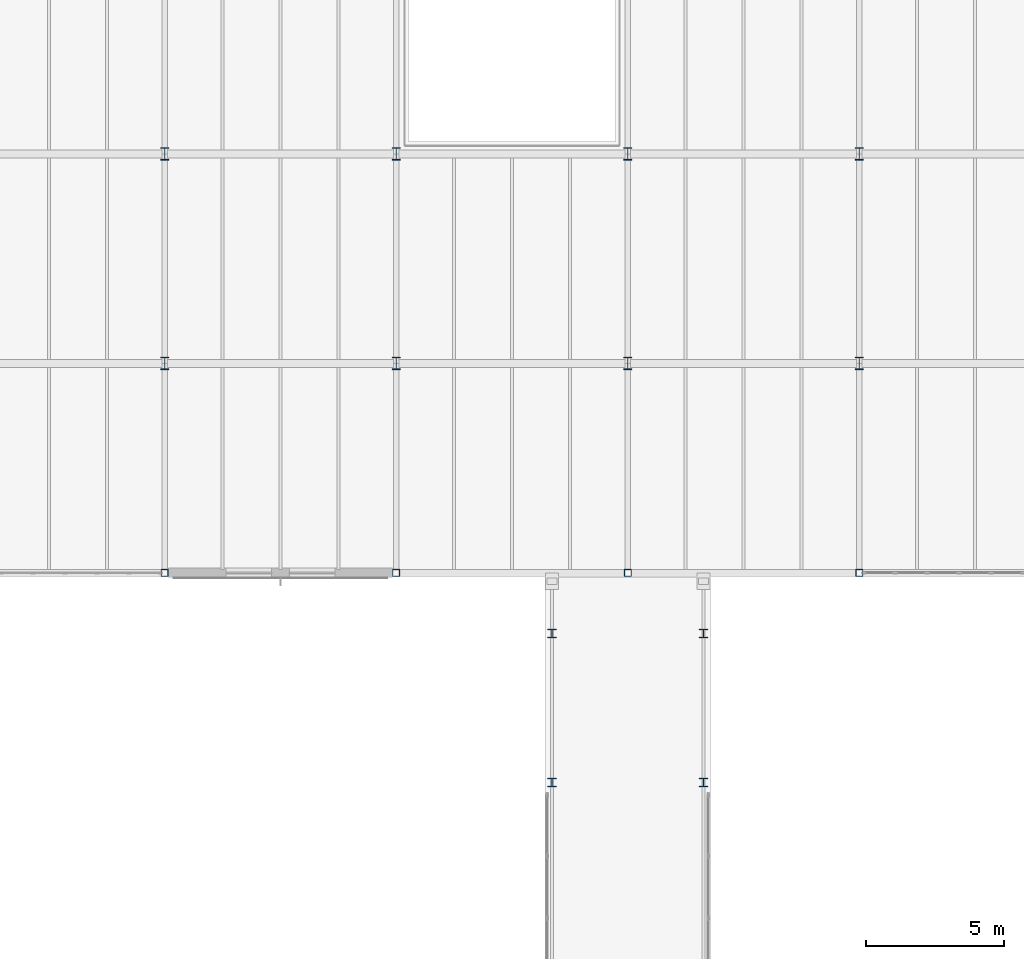
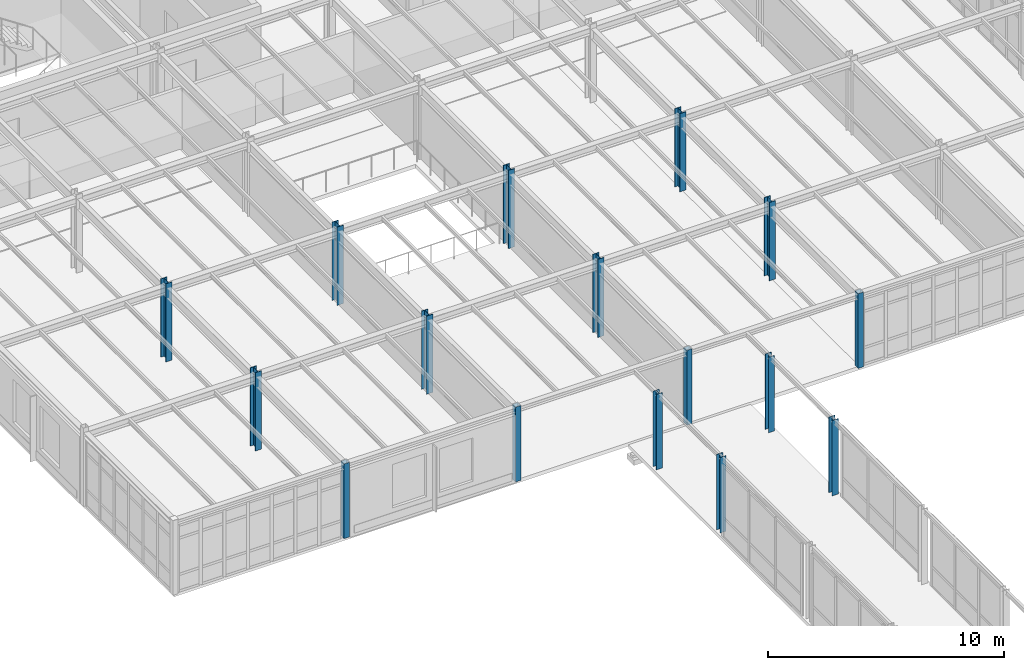
# One storey, part 13 of 189: 16 columns.
"""IFC4 building model written with IfcOpenShell, lengths in metres."""

from ifc_helpers import new_model, si_unit, direction, frame, origin, origin_2d, place, context, subcontext, project, spatial, hollow_rectangle, i_section, extrude, material, material_profile, profile_set, type_object, element, save


model = new_model("IFC4")

# Units and contexts
model_context = context("Model", 3, precision=1e-05, world=origin(), true_north=direction((0.0, 1.0)))
body_context = subcontext(model_context, "Body", "Model", "MODEL_VIEW")
ifc_project = project(units=[si_unit("LENGTHUNIT", "METRE"), si_unit("AREAUNIT", "SQUARE_METRE"), si_unit("VOLUMEUNIT", "CUBIC_METRE"), si_unit("PLANEANGLEUNIT", "RADIAN"), si_unit("MASSUNIT", "GRAM", prefix="KILO")], contexts=[model_context])

# Site, building, storey
site_placement = place(None, origin())
site = spatial("IfcSite", under=ifc_project, at=site_placement, CompositionType="ELEMENT")
building_placement = place(site_placement, origin())
building = spatial("IfcBuilding", under=site, at=building_placement, Name="Montecoro Central Library", CompositionType="ELEMENT")
storey_placement = place(building_placement, frame((0.0, 0.0, 9.179931640625)))
storey = spatial("IfcBuildingStorey", under=building, at=storey_placement, Name="L02", CompositionType="ELEMENT", Elevation=9.179931640625)

# Columns
ifc_material = material(Name="Steel S355", Category="steel")
ifc_material_profile_1 = material_profile(ifc_material, i_section(OverallWidth=0.300048828125, OverallDepth=0.300048828125, WebThickness=0.010986328125, FlangeThickness=0.01904296875, at=origin_2d()), Name="HEB 300")
ifc_profile_set_1 = profile_set([ifc_material_profile_1], Name="Steel S355")
column_type_1 = type_object("IfcColumnType", Name="COL-HEB300", PredefinedType="COLUMN", material=ifc_profile_set_1)
for number, where, z_axis, x_axis, name in (
    (1, (88.85009765625, 73.39990234375, 0.0), (0.0, 0.0, 1.0), (1.0, 0.0, 0.0), "BR-N-L02-COL-888-734"),
    (2, (94.35009765625, 73.39990234375, 0.0), (0.0, 0.0, 1.0), (1.0, 0.0, 0.0), "BR-N-L02-COL-943-734"),
    (3, (88.85009765625, 78.800048828125, 0.0), (0.0, 0.0, 1.0), (1.0, 0.0, 0.0), "BR-N-L02-COL-888-788"),
    (4, (94.35009765625, 78.800048828125, 0.0), (0.0, 0.0, 1.0), (1.0, 0.0, 0.0), "BR-N-L02-COL-943-788"),
):
    element("IfcColumn", number, at=place(storey_placement, frame(where, z_axis=z_axis, x_axis=x_axis)), inside=storey, type_object=column_type_1, Name=name, PredefinedType="COLUMN", context=body_context, shape_type="SweptSolid", body=[
        extrude(i_section(OverallWidth=0.300048828125, OverallDepth=0.300048828125, WebThickness=0.010986328125, FlangeThickness=0.01904296875, at=origin_2d()), origin(), (0.0, 0.0, 1.0), 3.907958984375),
    ])
ifc_material_profile_2 = material_profile(ifc_material, i_section(OverallWidth=0.300048828125, OverallDepth=0.449951171875, WebThickness=0.013916015625, FlangeThickness=0.02587890625, at=origin_2d()), Name="HEB 450")
ifc_profile_set_2 = profile_set([ifc_material_profile_2], Name="Steel S355")
column_type_2 = type_object("IfcColumnType", Name="COL-HEB450", PredefinedType="COLUMN", material=ifc_profile_set_2)
for number, where, z_axis, x_axis, name in (
    (5, (74.800048828125, 88.60009765625, 0.0), (0.0, 0.0, 1.0), (1.0, 0.0, 0.0), "V2-L02-COL-10-M"),
    (6, (74.800048828125, 96.199951171875, 0.0), (0.0, 0.0, 1.0), (1.0, 0.0, 0.0), "V2-L02-COL-10-N"),
    (7, (83.199951171875, 88.60009765625, 0.0), (0.0, 0.0, 1.0), (1.0, 0.0, 0.0), "V2-L02-COL-11-M"),
    (8, (83.199951171875, 96.199951171875, 0.0), (0.0, 0.0, 1.0), (1.0, 0.0, 0.0), "V2-L02-COL-11-N"),
    (9, (91.60009765625, 88.60009765625, 0.0), (0.0, 0.0, 1.0), (1.0, 0.0, 0.0), "V2-L02-COL-12-M"),
    (10, (91.60009765625, 96.199951171875, 0.0), (0.0, 0.0, 1.0), (1.0, 0.0, 0.0), "V2-L02-COL-12-N"),
    (11, (100.0, 88.60009765625, 0.0), (0.0, 0.0, 1.0), (1.0, 0.0, 0.0), "V2-L02-COL-13-M"),
    (12, (100.0, 96.199951171875, 0.0), (0.0, 0.0, 1.0), (1.0, 0.0, 0.0), "V2-L02-COL-13-N"),
):
    element("IfcColumn", number, at=place(storey_placement, frame(where, z_axis=z_axis, x_axis=x_axis)), inside=storey, type_object=column_type_2, Name=name, PredefinedType="COLUMN", context=body_context, shape_type="SweptSolid", body=[
        extrude(i_section(OverallWidth=0.300048828125, OverallDepth=0.449951171875, WebThickness=0.013916015625, FlangeThickness=0.02587890625, at=origin_2d()), origin(), (0.0, 0.0, 1.0), 4.05517578125),
    ])
ifc_material_profile_3 = material_profile(ifc_material, hollow_rectangle(XDim=0.260009765625, YDim=0.260009765625, WallThickness=0.012451171875, at=origin_2d()), Name="SHS 260x260x12.5")
ifc_profile_set_3 = profile_set([ifc_material_profile_3], Name="Steel S355")
column_type_3 = type_object("IfcColumnType", Name="COL-SHS260", PredefinedType="COLUMN", material=ifc_profile_set_3)
for number, where, z_axis, x_axis, name in (
    (13, (74.800048828125, 81.0, 0.0), (0.0, 0.0, 1.0), (1.0, 0.0, 0.0), "V2-L02-COL-10-L"),
    (14, (83.199951171875, 81.0, 0.0), (0.0, 0.0, 1.0), (1.0, 0.0, 0.0), "V2-L02-COL-11-L"),
    (15, (91.60009765625, 81.0, 0.0), (0.0, 0.0, 1.0), (1.0, 0.0, 0.0), "V2-L02-COL-12-L"),
    (16, (100.0, 81.0, 0.0), (0.0, 0.0, 1.0), (1.0, 0.0, 0.0), "V2-L02-COL-13-L"),
):
    element("IfcColumn", number, at=place(storey_placement, frame(where, z_axis=z_axis, x_axis=x_axis)), inside=storey, type_object=column_type_3, Name=name, PredefinedType="COLUMN", context=body_context, shape_type="SweptSolid", body=[
        extrude(hollow_rectangle(XDim=0.260009765625, YDim=0.260009765625, WallThickness=0.012451171875, at=origin_2d()), origin(), (0.0, 0.0, 1.0), 3.875),
    ])

save(model, "model.ifc")
